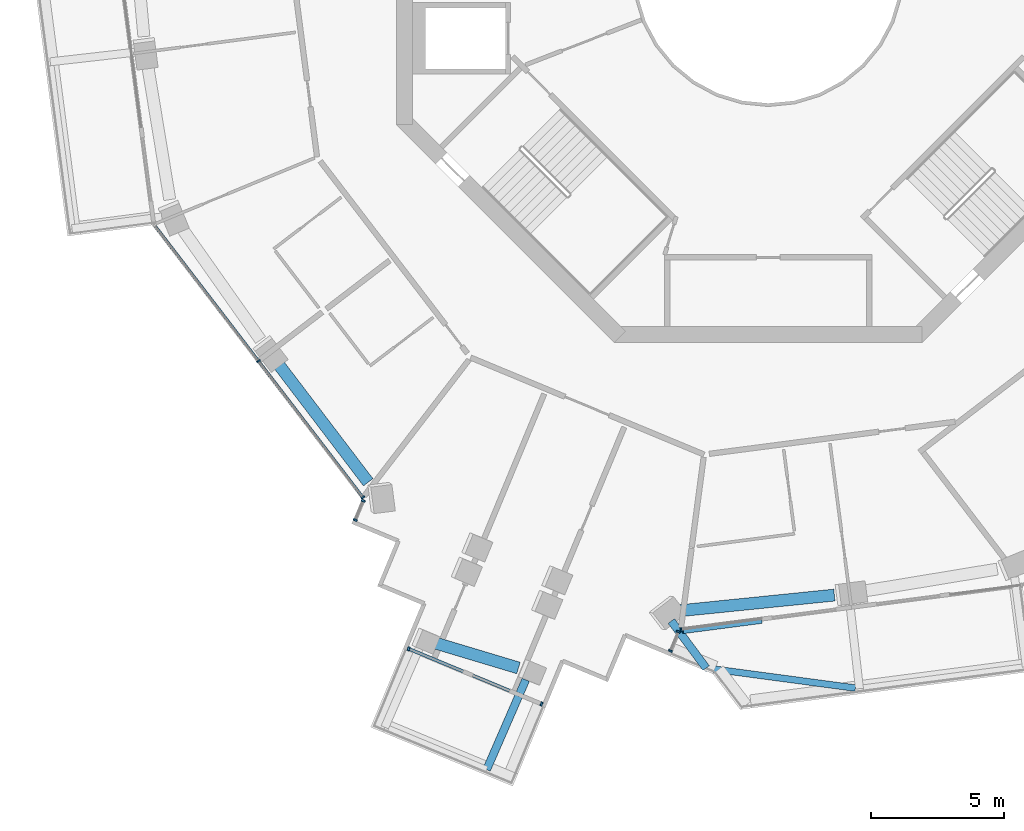
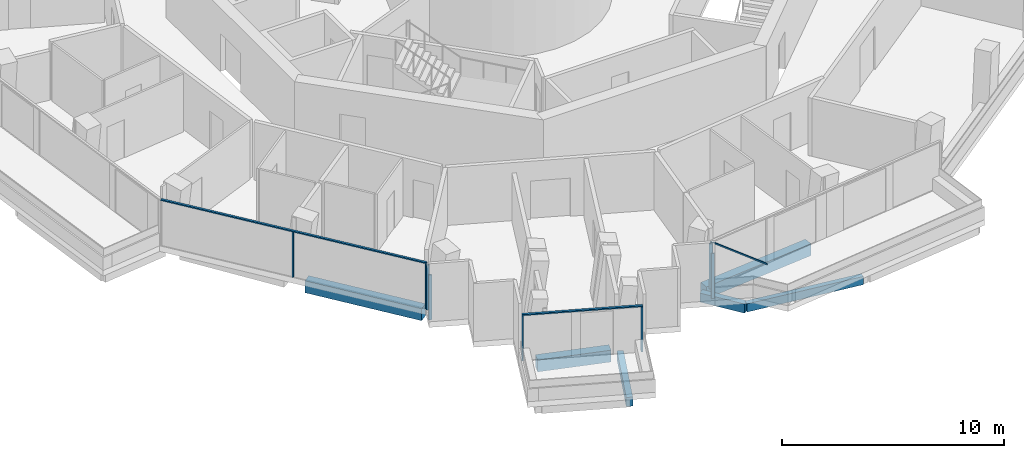
# One storey, part 2 of 25: 12 members, 6 beams, 5 elements without a shape of their own.
"""IFC4 building model written with IfcOpenShell, lengths in metres."""

from ifc_helpers import new_model, si_unit, direction, frame, origin, origin_2d, place, context, subcontext, project, spatial, rectangle, extrude, material, layer, layer_set, material_profile, profile_set, type_object, element, aggregate, save


model = new_model("IFC4")

# Units and contexts
model_context = context("Model", 3, precision=1e-05, world=origin(), true_north=direction((0.0, 1.0)))
body_context = subcontext(model_context, "Body", "Model", "MODEL_VIEW")
ifc_project = project(units=[si_unit("LENGTHUNIT", "METRE"), si_unit("AREAUNIT", "SQUARE_METRE"), si_unit("VOLUMEUNIT", "CUBIC_METRE"), si_unit("PLANEANGLEUNIT", "RADIAN"), si_unit("MASSUNIT", "GRAM", prefix="KILO")], contexts=[model_context])

# Site, building, storey
site_placement = place(None, origin())
site = spatial("IfcSite", under=ifc_project, at=site_placement, CompositionType="ELEMENT")
building_placement = place(site_placement, origin())
building = spatial("IfcBuilding", under=site, at=building_placement, Name="Verdalira Terraces Hotel", CompositionType="ELEMENT")
storey_placement = place(building_placement, frame((0.0, 0.0, 187.0)))
storey = spatial("IfcBuildingStorey", under=building, at=storey_placement, Name="L45", CompositionType="ELEMENT", Elevation=187.0)

# Beams
ifc_material_1 = material(Name="Concrete C40", Category="concrete")
ifc_material_profile_1 = material_profile(ifc_material_1, rectangle(XDim=0.300049, YDim=0.5, at=origin_2d()), Name="RC 300X500")
ifc_profile_set_1 = profile_set([ifc_material_profile_1], Name="Concrete C40")
beam_type_1 = type_object("IfcBeamType", Name="Balcony cantilever beam RC 300X500 C40", PredefinedType="BEAM", material=ifc_profile_set_1)
beam_1_placement = place(storey_placement, frame((-9.133545, -26.710449, -0.560059), z_axis=(-0.399081886, -0.91691529, 0.0), x_axis=(0.91691529, -0.399081886, 0.0)))
element("IfcBeam", 1, at=beam_1_placement, inside=storey, type_object=beam_type_1, Name="Balcony cantilever beam R19-2", PredefinedType="BEAM", context=body_context, shape_type="SweptSolid", body=[
    extrude(rectangle(XDim=0.300049, YDim=0.5, at=origin_2d()), origin(), (0.0, 0.0, 1.0), 3.688232),
])
beam_2_placement = place(storey_placement, frame((-3.649658, -24.496338, -0.560059), z_axis=(0.594596673, -0.804024126, 0.0), x_axis=(0.804024126, 0.594596673, 0.0)))
element("IfcBeam", 2, at=beam_2_placement, inside=storey, type_object=beam_type_1, Name="Balcony cantilever beam R24-1", PredefinedType="BEAM", context=body_context, shape_type="SweptSolid", body=[
    extrude(rectangle(XDim=0.300049, YDim=0.5, at=origin_2d()), origin(), (0.0, 0.0, 1.0), 2.203369),
])
ifc_material_2 = material(Name="Concrete C40", Category="concrete")
ifc_material_profile_2 = material_profile(ifc_material_2, rectangle(XDim=0.25, YDim=0.449951, at=origin_2d()), Name="RC 250X450")
ifc_profile_set_2 = profile_set([ifc_material_profile_2], Name="Concrete C40")
beam_type_2 = type_object("IfcBeamType", Name="Balcony edge beam RC 250X450 C40", PredefinedType="BEAM", material=ifc_profile_set_2)
beam_3_placement = place(storey_placement, frame((-2.3396, -26.267822, -0.534912), z_axis=(0.991148774, -0.132755823, 0.0), x_axis=(0.132755823, 0.991148774, 0.0)))
element("IfcBeam", 3, at=beam_3_placement, inside=storey, type_object=beam_type_2, Name="Balcony edge beam R24-1", PredefinedType="BEAM", context=body_context, shape_type="SweptSolid", body=[
    extrude(rectangle(XDim=0.25, YDim=0.449951, at=origin_2d()), origin(), (0.0, 0.0, 1.0), 5.671631),
])

# Curtain wall, members
ifc_material_3 = material(Name="Clear glass", Category="glass")
ifc_layer_1 = layer(ifc_material_3, 0.14990234375)
ifc_layer_set_1 = layer_set([ifc_layer_1], Name="CW1 curtain wall")
curtain_wall_type_1 = type_object("IfcCurtainWallType", Name="CW1 curtain wall", PredefinedType="NOTDEFINED", material=ifc_layer_set_1)
curtain_wall_1_placement = place(storey_placement, origin())
curtain_wall_1 = element("IfcCurtainWall", 4, at=curtain_wall_1_placement, inside=storey, type_object=curtain_wall_type_1, Name="CW1 curtain wall L45 edge 13", PredefinedType="NOTDEFINED")
ifc_material_4 = material(Name="Terracotta frame", Category="masonry")
ifc_material_profile_3 = material_profile(ifc_material_4, rectangle(XDim=0.060059, YDim=0.149902, at=origin_2d()), Name="MU 60x150")
ifc_profile_set_3 = profile_set([ifc_material_profile_3], Name="Terracotta frame")
member_type_1 = type_object("IfcMemberType", Name="CW1 mullion 60x150", PredefinedType="MULLION", material=ifc_profile_set_3)
member_1_placement = place(storey_placement, frame((-19.201416, -14.70166, 0.0), z_axis=(0.0, 0.0, 1.0), x_axis=(0.607930298, -0.793990399, 0.0)))
member_1 = element("IfcMember", 5, at=member_1_placement, type_object=member_type_1, Name="CW1 mullion", PredefinedType="MULLION", context=body_context, shape_type="SweptSolid", body=[
    extrude(rectangle(XDim=0.060059, YDim=0.149902, at=origin_2d()), origin(), (0.0, 0.0, 1.0), 2.475098),
])
member_2_placement = place(storey_placement, frame((-15.268066, -19.838867, 0.0), z_axis=(0.0, 0.0, 1.0), x_axis=(0.607930298, -0.793990399, 0.0)))
member_2 = element("IfcMember", 6, at=member_2_placement, type_object=member_type_1, Name="CW1 mullion", PredefinedType="MULLION", context=body_context, shape_type="SweptSolid", body=[
    extrude(rectangle(XDim=0.060059, YDim=0.149902, at=origin_2d()), origin(), (0.0, 0.0, 1.0), 2.475098),
])

# Curtain wall, member
curtain_wall_2_placement = place(storey_placement, origin())
curtain_wall_2 = element("IfcCurtainWall", 7, at=curtain_wall_2_placement, inside=storey, type_object=curtain_wall_type_1, Name="CW1 curtain wall L45 edge 25", PredefinedType="NOTDEFINED")
member_3_placement = place(storey_placement, frame((-3.28418, -24.817627, 0.0), z_axis=(0.0, 0.0, 1.0), x_axis=(0.991581004, 0.129487882, 0.0)))
member_3 = element("IfcMember", 8, at=member_3_placement, type_object=member_type_1, Name="CW1 mullion", PredefinedType="MULLION", context=body_context, shape_type="SweptSolid", body=[
    extrude(rectangle(XDim=0.060059, YDim=0.149902, at=origin_2d()), origin(), (0.0, 0.0, 1.0), 2.475098),
])

# Member
ifc_material_5 = material(Name="Terracotta frame", Category="masonry")
ifc_material_profile_4 = material_profile(ifc_material_5, rectangle(XDim=0.110107, YDim=0.064941, at=origin_2d()), Name="TR 65x110")
ifc_profile_set_4 = profile_set([ifc_material_profile_4], Name="Terracotta frame")
member_type_2 = type_object("IfcMemberType", Name="CW1 transom 65x110", PredefinedType="USERDEFINED", material=ifc_profile_set_4)
member_4_placement = place(storey_placement, frame((-23.128418, -9.572754, 2.507568), z_axis=(0.607927575, -0.793992483, 0.0), x_axis=(0.793992483, 0.607927575, 0.0)))
member_4 = element("IfcMember", 9, at=member_4_placement, type_object=member_type_2, Name="CW1 transom", ObjectType="TRANSOM", PredefinedType="USERDEFINED", context=body_context, shape_type="SweptSolid", body=[
    extrude(rectangle(XDim=0.110107, YDim=0.064941, at=origin_2d()), origin(), (0.0, 0.0, 1.0), 12.959961),
])

aggregate(curtain_wall_1, [member_1, member_2, member_4])

# Curtain wall, members
ifc_material_6 = material(Name="Clear glass", Category="glass")
ifc_layer_2 = layer(ifc_material_6, 0.14990234375)
ifc_layer_set_2 = layer_set([ifc_layer_2], Name="CW2 curtain wall")
curtain_wall_type_2 = type_object("IfcCurtainWallType", Name="CW2 curtain wall", PredefinedType="NOTDEFINED", material=ifc_layer_set_2)
curtain_wall_3_placement = place(storey_placement, origin())
curtain_wall_3 = element("IfcCurtainWall", 10, at=curtain_wall_3_placement, inside=storey, type_object=curtain_wall_type_2, Name="CW2 curtain wall L45 edge 14", PredefinedType="NOTDEFINED")
ifc_material_7 = material(Name="Terracotta frame", Category="masonry")
ifc_material_profile_5 = material_profile(ifc_material_7, rectangle(XDim=0.070068, YDim=0.149902, at=origin_2d()), Name="MU 70x150")
ifc_profile_set_5 = profile_set([ifc_material_profile_5], Name="Terracotta frame")
member_type_3 = type_object("IfcMemberType", Name="CW2 mullion 70x150", PredefinedType="MULLION", material=ifc_profile_set_5)
member_5_placement = place(storey_placement, frame((-15.253418, -19.969482, 0.0), z_axis=(0.0, 0.0, 1.0), x_axis=(-0.383650707, -0.923478281, 0.0)))
member_5 = element("IfcMember", 11, at=member_5_placement, type_object=member_type_3, Name="CW2 mullion", PredefinedType="MULLION", context=body_context, shape_type="SweptSolid", body=[
    extrude(rectangle(XDim=0.070068, YDim=0.149902, at=origin_2d()), origin(), (0.0, 0.0, 1.0), 2.475098),
])
member_6_placement = place(storey_placement, frame((-15.552734, -20.689697, 0.0), z_axis=(0.0, 0.0, 1.0), x_axis=(-0.383650707, -0.923478281, 0.0)))
member_6 = element("IfcMember", 12, at=member_6_placement, type_object=member_type_3, Name="CW2 mullion", PredefinedType="MULLION", context=body_context, shape_type="SweptSolid", body=[
    extrude(rectangle(XDim=0.070068, YDim=0.149902, at=origin_2d()), origin(), (0.0, 0.0, 1.0), 2.475098),
])
aggregate(curtain_wall_3, [member_5, member_6])

curtain_wall_4_placement = place(storey_placement, origin())
curtain_wall_4 = element("IfcCurtainWall", 13, at=curtain_wall_4_placement, inside=storey, type_object=curtain_wall_type_2, Name="CW2 curtain wall L45 edge 24", PredefinedType="NOTDEFINED")
member_7_placement = place(storey_placement, frame((-3.686035, -25.619629, 0.0), z_axis=(0.0, 0.0, 1.0), x_axis=(0.383650707, 0.923478281, 0.0)))
member_7 = element("IfcMember", 14, at=member_7_placement, type_object=member_type_3, Name="CW2 mullion", PredefinedType="MULLION", context=body_context, shape_type="SweptSolid", body=[
    extrude(rectangle(XDim=0.070068, YDim=0.149902, at=origin_2d()), origin(), (0.0, 0.0, 1.0), 2.475098),
])
member_8_placement = place(storey_placement, frame((-3.386719, -24.899414, 0.0), z_axis=(0.0, 0.0, 1.0), x_axis=(0.383650707, 0.923478281, 0.0)))
member_8 = element("IfcMember", 15, at=member_8_placement, type_object=member_type_3, Name="CW2 mullion", PredefinedType="MULLION", context=body_context, shape_type="SweptSolid", body=[
    extrude(rectangle(XDim=0.070068, YDim=0.149902, at=origin_2d()), origin(), (0.0, 0.0, 1.0), 2.475098),
])
aggregate(curtain_wall_4, [member_7, member_8])

ifc_material_8 = material(Name="Clear glass", Category="glass")
ifc_layer_3 = layer(ifc_material_8, 0.14990234375)
ifc_layer_set_3 = layer_set([ifc_layer_3], Name="CW3 curtain wall")
curtain_wall_type_3 = type_object("IfcCurtainWallType", Name="CW3 curtain wall", PredefinedType="NOTDEFINED", material=ifc_layer_set_3)
curtain_wall_5_placement = place(storey_placement, origin())
curtain_wall_5 = element("IfcCurtainWall", 16, at=curtain_wall_5_placement, inside=storey, type_object=curtain_wall_type_3, Name="CW3 curtain wall L45 edge 19", PredefinedType="NOTDEFINED")
ifc_material_9 = material(Name="Terracotta frame", Category="masonry")
ifc_material_profile_6 = material_profile(ifc_material_9, rectangle(XDim=0.080078, YDim=0.149902, at=origin_2d()), Name="MU 80x150")
ifc_profile_set_6 = profile_set([ifc_material_profile_6], Name="Terracotta frame")
member_type_4 = type_object("IfcMemberType", Name="CW3 mullion 80x150", PredefinedType="MULLION", material=ifc_profile_set_6)
member_9_placement = place(storey_placement, frame((-13.54541, -25.541016, 0.0), z_axis=(0.0, 0.0, 1.0), x_axis=(0.923478281, -0.383650707, 0.0)))
member_9 = element("IfcMember", 17, at=member_9_placement, type_object=member_type_4, Name="CW3 mullion", PredefinedType="MULLION", context=body_context, shape_type="SweptSolid", body=[
    extrude(rectangle(XDim=0.080078, YDim=0.149902, at=origin_2d()), origin(), (0.0, 0.0, 1.0), 2.475098),
])
member_10_placement = place(storey_placement, frame((-8.540039, -27.620361, 0.0), z_axis=(0.0, 0.0, 1.0), x_axis=(0.923478281, -0.383650707, 0.0)))
member_10 = element("IfcMember", 18, at=member_10_placement, type_object=member_type_4, Name="CW3 mullion", PredefinedType="MULLION", context=body_context, shape_type="SweptSolid", body=[
    extrude(rectangle(XDim=0.080078, YDim=0.149902, at=origin_2d()), origin(), (0.0, 0.0, 1.0), 2.475098),
])
ifc_material_10 = material(Name="Terracotta frame", Category="masonry")
ifc_material_profile_7 = material_profile(ifc_material_10, rectangle(XDim=0.120117, YDim=0.064941, at=origin_2d()), Name="TR 65x120")
ifc_profile_set_7 = profile_set([ifc_material_profile_7], Name="Terracotta frame")
member_type_5 = type_object("IfcMemberType", Name="CW3 transom 65x120", PredefinedType="USERDEFINED", material=ifc_profile_set_7)
member_11_placement = place(storey_placement, frame((-13.582275, -25.525635, 2.507568), z_axis=(0.923475667, -0.383656998, 0.0), x_axis=(0.383656998, 0.923475667, 0.0)))
member_11 = element("IfcMember", 19, at=member_11_placement, type_object=member_type_5, Name="CW3 transom", ObjectType="TRANSOM", PredefinedType="USERDEFINED", context=body_context, shape_type="SweptSolid", body=[
    extrude(rectangle(XDim=0.120117, YDim=0.064941, at=origin_2d()), origin(), (0.0, 0.0, 1.0), 5.5),
])
aggregate(curtain_wall_5, [member_9, member_10, member_11])

# Member
ifc_material_11 = material(Name="Terracotta frame", Category="masonry")
ifc_material_profile_8 = material_profile(ifc_material_11, rectangle(XDim=0.149902, YDim=0.060059, at=origin_2d()), Name="GB 60x150")
ifc_profile_set_8 = profile_set([ifc_material_profile_8], Name="Terracotta frame")
member_type_6 = type_object("IfcMemberType", Name="Diagonal glazing bar 60x150", PredefinedType="USERDEFINED", material=ifc_profile_set_8)
member_12_placement = place(storey_placement, frame((-3.212891, -24.897949, 2.450439), z_axis=(0.7689449, 0.100391088, -0.631383695), x_axis=(-0.129458279, 0.99158487, 0.0)))
member_12 = element("IfcMember", 20, at=member_12_placement, type_object=member_type_6, Name="Diagonal glazing bar", ObjectType="GLAZING BAR", PredefinedType="USERDEFINED", context=body_context, shape_type="SweptSolid", body=[
    extrude(rectangle(XDim=0.149902, YDim=0.060059, at=origin_2d()), origin(), (0.0, 0.0, 1.0), 3.842285),
])

aggregate(curtain_wall_2, [member_3, member_12])

# Beams
ifc_material_12 = material(Name="Concrete C50", Category="concrete")
ifc_material_profile_9 = material_profile(ifc_material_12, rectangle(XDim=0.449951, YDim=0.649902, at=origin_2d()), Name="RC 450X650")
ifc_profile_set_9 = profile_set([ifc_material_profile_9], Name="Concrete C50")
beam_type_3 = type_object("IfcBeamType", Name="Spandrel beam RC 450X650 C50", PredefinedType="SPANDREL", material=ifc_profile_set_9)
beam_4_placement = place(storey_placement, frame((-18.521729, -14.727295, -0.63501), z_axis=(0.605502983, -0.795843036, 0.0), x_axis=(0.795843036, 0.605502983, 0.0)))
element("IfcBeam", 21, at=beam_4_placement, inside=storey, type_object=beam_type_3, Name="Spandrel beam B09", PredefinedType="SPANDREL", context=body_context, shape_type="SweptSolid", body=[
    extrude(rectangle(XDim=0.449951, YDim=0.649902, at=origin_2d()), origin(), (0.0, 0.0, 1.0), 5.706543),
])
beam_5_placement = place(storey_placement, frame((-12.668945, -25.2854, -0.63501), z_axis=(0.957853911, -0.287255784, 0.0), x_axis=(0.287255784, 0.957853911, 0.0)))
element("IfcBeam", 22, at=beam_5_placement, inside=storey, type_object=beam_type_3, Name="Spandrel beam B10", PredefinedType="SPANDREL", context=body_context, shape_type="SweptSolid", body=[
    extrude(rectangle(XDim=0.449951, YDim=0.649902, at=origin_2d()), origin(), (0.0, 0.0, 1.0), 3.404785),
])
beam_6_placement = place(storey_placement, frame((-3.294189, -24.104492, -0.63501), z_axis=(0.994912091, 0.10074687, 0.0), x_axis=(-0.10074687, 0.994912091, 0.0)))
element("IfcBeam", 23, at=beam_6_placement, inside=storey, type_object=beam_type_3, Name="Spandrel beam B11", PredefinedType="SPANDREL", context=body_context, shape_type="SweptSolid", body=[
    extrude(rectangle(XDim=0.449951, YDim=0.649902, at=origin_2d()), origin(), (0.0, 0.0, 1.0), 5.813477),
])

save(model, "model.ifc")
